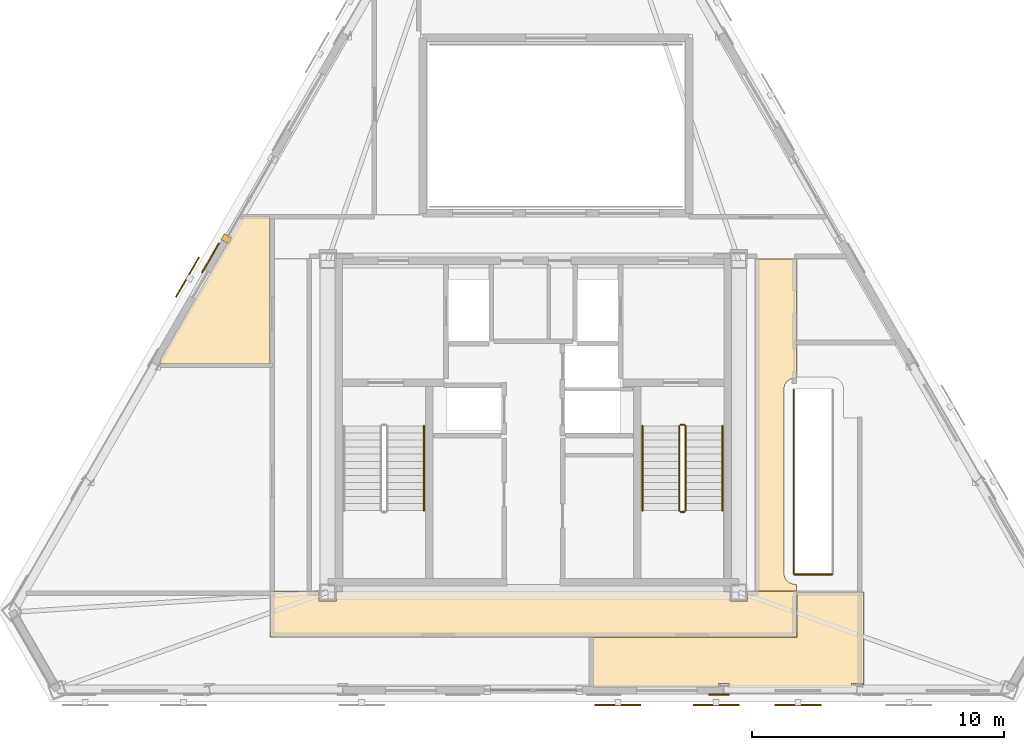
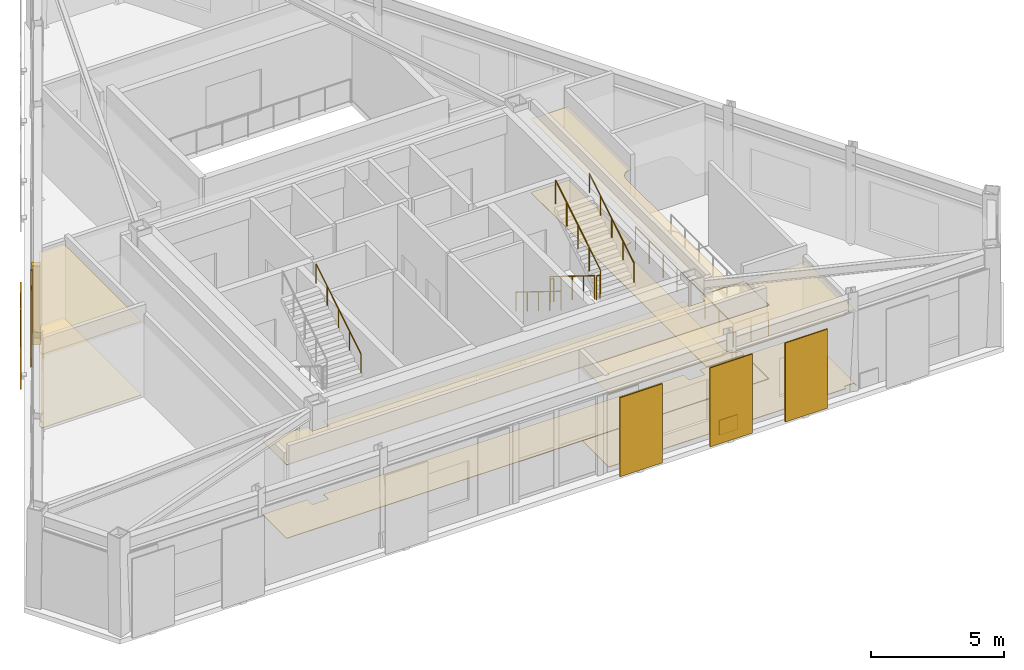
# One storey, part 13 of 14: 11 coverings, 9 railings, 4 shading devices.
"""IFC4 building model written with IfcOpenShell, lengths in metres."""

from ifc_helpers import new_model, si_unit, direction, frame, origin, origin_2d, place, context, subcontext, project, spatial, polyline, rectangle, circle, outline, extrude, material, layer, layer_set, type_object, element, save


model = new_model("IFC4")

# Units and contexts
model_context = context("Model", 3, precision=1e-05, world=origin(), true_north=direction((0.0, 1.0)))
body_context = subcontext(model_context, "Body", "Model", "MODEL_VIEW")
ifc_project = project(units=[si_unit("LENGTHUNIT", "METRE"), si_unit("AREAUNIT", "SQUARE_METRE"), si_unit("VOLUMEUNIT", "CUBIC_METRE"), si_unit("PLANEANGLEUNIT", "RADIAN"), si_unit("MASSUNIT", "GRAM", prefix="KILO")], contexts=[model_context])

# Site, building, storey
site_placement = place(None, origin())
site = spatial("IfcSite", under=ifc_project, at=site_placement, CompositionType="ELEMENT")
building_placement = place(site_placement, origin())
building = spatial("IfcBuilding", under=site, at=building_placement, Name="Oramaril Tower", CompositionType="ELEMENT")
storey_placement = place(building_placement, frame((0.0, 0.0, 309.60009765625)))
storey = spatial("IfcBuildingStorey", under=building, at=storey_placement, Name="L81", CompositionType="ELEMENT", Elevation=309.60009765625)

# Coverings
ifc_material_1 = material(Name="Mineral Fibre Acoustic Ceiling")
ifc_layer_1 = layer(ifc_material_1, 0.02001953125)
ifc_layer_set_1 = layer_set([ifc_layer_1], Name="CVT-CEIL")
covering_type_1 = type_object("IfcCoveringType", Name="CVT-CEIL", PredefinedType="CEILING", material=ifc_layer_set_1)
covering_1_placement = place(storey_placement, frame((0.0, 0.0, 3.371826171875)))
element("IfcCovering", 1, at=covering_1_placement, inside=storey, type_object=covering_type_1, Name="L81 Acoustic Suspended Ceiling 1", PredefinedType="CEILING", context=body_context, shape_type="SweptSolid", body=[
    extrude(outline(polyline([(45.304931640625, 10.655029296875), (45.9951171875, 10.655029296875), (45.9951171875, 11.030029296875), (47.929931640625, 11.030029296875), (47.929931640625, 9.219970703125), (27.070068359375, 9.219970703125), (27.070068359375, 11.030029296875), (29.0048828125, 11.030029296875), (29.0048828125, 10.655029296875), (29.695068359375, 10.655029296875), (29.695068359375, 11.030029296875), (45.304931640625, 11.030029296875), (45.304931640625, 10.655029296875)])), origin(), (0.0, 0.0, 1.0), 0.02001953125),
])
covering_2_placement = place(storey_placement, frame((0.0, 0.0, 3.371826171875)))
element("IfcCovering", 2, at=covering_2_placement, inside=storey, type_object=covering_type_1, Name="L81 Acoustic Suspended Ceiling 5", PredefinedType="CEILING", context=body_context, shape_type="SweptSolid", body=[
    extrude(outline(polyline([(47.929931640625, 19.50390625), (47.7080078125, 19.455078125), (47.56494140625, 19.359619140625), (47.469970703125, 19.21728515625), (47.43505859375, 19.04150390625), (47.4375, 11.7109375), (47.489013671875, 11.54150390625), (47.563232421875, 11.441162109375), (47.7080078125, 11.344482421875), (47.929931640625, 11.29541015625), (47.929931640625, 11.050048828125), (46.300048828125, 11.050048828125), (46.300048828125, 24.219970703125), (47.929931640625, 24.219970703125), (47.929931640625, 19.50390625)])), origin(), (0.0, 0.0, 1.0), 0.02001953125),
])
covering_3_placement = place(storey_placement, frame((0.0, 0.0, 3.371826171875)))
element("IfcCovering", 3, at=covering_3_placement, inside=storey, type_object=covering_type_1, Name="L81 Acoustic Suspended Ceiling 7", PredefinedType="CEILING", context=body_context, shape_type="SweptSolid", body=[
    extrude(outline(polyline([(50.592041015625, 7.21728515625), (50.553466796875, 7.21728515625), (50.553466796875, 7.370849609375), (50.126220703125, 7.370849609375), (50.126220703125, 7.21728515625), (45.263427734375, 7.21728515625), (45.263427734375, 7.370849609375), (44.842041015625, 7.370849609375), (44.842041015625, 7.21728515625), (39.862060546875, 7.21728515625), (39.862060546875, 9.199951171875), (47.929931640625, 9.199951171875), (47.931884765625, 9.2001953125), (47.933837890625, 9.200439453125), (47.935791015625, 9.200927734375), (47.937744140625, 9.201416015625), (47.939453125, 9.202392578125), (47.941162109375, 9.203369140625), (47.942626953125, 9.20458984375), (47.944091796875, 9.205810546875), (47.945556640625, 9.207275390625), (47.946533203125, 9.208984375), (47.947509765625, 9.210693359375), (47.948486328125, 9.21240234375), (47.94921875, 9.214111328125), (47.94970703125, 9.216064453125), (47.949951171875, 9.218017578125), (47.949951171875, 9.219970703125), (47.949951171875, 10.991943359375), (50.592041015625, 10.991943359375), (50.592041015625, 7.21728515625)])), origin(), (0.0, 0.0, 1.0), 0.02001953125),
])
covering_4_placement = place(storey_placement, frame((0.0, 0.0, 3.371826171875)))
element("IfcCovering", 4, at=covering_4_placement, inside=storey, type_object=covering_type_1, Name="L81 Acoustic Suspended Ceiling 9", PredefinedType="CEILING", context=body_context, shape_type="SweptSolid", body=[
    extrude(outline(polyline([(22.725341796875, 20.2646484375), (22.719482421875, 20.2646484375), (25.985595703125, 25.922119140625), (27.050048828125, 25.922119140625), (27.050048828125, 24.239990234375), (27.050048828125, 24.238037109375), (27.05029296875, 24.236083984375), (27.05078125, 24.234130859375), (27.051513671875, 24.232421875), (27.052490234375, 24.230712890625), (27.052734375, 24.22998046875), (27.052490234375, 24.2294921875), (27.051513671875, 24.227783203125), (27.05078125, 24.225830078125), (27.05029296875, 24.223876953125), (27.050048828125, 24.221923828125), (27.050048828125, 24.219970703125), (27.050048828125, 20.06201171875), (22.725341796875, 20.06201171875), (22.725341796875, 20.2646484375)])), origin(), (0.0, 0.0, 1.0), 0.02001953125),
])
ifc_material_2 = material(Name="Warm Cream Limestone", Category="masonry")
ifc_layer_2 = layer(ifc_material_2, 0.050048828125)
ifc_layer_set_2 = layer_set([ifc_layer_2], Name="CVT-CLD")
covering_type_2 = type_object("IfcCoveringType", Name="CVT-CLD", PredefinedType="CLADDING", material=ifc_layer_set_2)
covering_5_placement = place(storey_placement, frame((44.864990234375, 6.941162109375, 0.0400390625), z_axis=(0.0, 0.0, 1.0), x_axis=(1.0, 0.0, 0.0)))
element("IfcCovering", 5, at=covering_5_placement, inside=storey, type_object=covering_type_2, Name="L81 Warm Cream Limestone Spandrel Cladding", PredefinedType="CLADDING", context=body_context, shape_type="SweptSolid", body=[
    extrude(rectangle(XDim=0.800048828125, YDim=0.050048828125, at=origin_2d()), origin(), (0.0, 0.0, 1.0), 0.679931640625),
])
covering_6_placement = place(storey_placement, frame((25.334716796875, 25.010498046875, 0.0), z_axis=(0.0, 0.0, 1.0), x_axis=(-0.5, -0.866025403784, 0.0)))
element("IfcCovering", 6, at=covering_6_placement, inside=storey, type_object=covering_type_2, Name="L81 Curtain Wall Limestone Jamb Closure", PredefinedType="CLADDING", context=body_context, shape_type="SweptSolid", body=[
    extrude(rectangle(XDim=0.260009765625, YDim=0.340087890625, at=origin_2d()), origin(), (0.0, 0.0, 1.0), 3.617919921875),
])
covering_7_placement = place(storey_placement, frame((24.7041015625, 24.254638671875, 0.039794921875), z_axis=(0.0, 0.0, 1.0), x_axis=(-0.5, -0.866025403784, 0.0)))
element("IfcCovering", 7, at=covering_7_placement, inside=storey, type_object=covering_type_2, Name="L81 Warm Cream Limestone Cladding", PredefinedType="CLADDING", context=body_context, shape_type="SweptSolid", body=[
    extrude(rectangle(XDim=1.35009765625, YDim=0.050048828125, at=origin_2d()), origin(), (0.0, 0.0, 1.0), 3.5380859375),
])
ifc_material_3 = material(Name="Honed Quartzite Stone Flooring", Category="masonry")
ifc_layer_3 = layer(ifc_material_3, 0.02490234375)
ifc_layer_set_3 = layer_set([ifc_layer_3], Name="CVT-FLR")
covering_type_3 = type_object("IfcCoveringType", Name="CVT-FLR", PredefinedType="FLOORING", material=ifc_layer_set_3)
covering_8_placement = place(storey_placement, origin())
element("IfcCovering", 8, at=covering_8_placement, inside=storey, type_object=covering_type_3, Name="L81 Honed Stone Floor Finish 1", PredefinedType="FLOORING", context=body_context, shape_type="SweptSolid", body=[
    extrude(outline(polyline([(45.304931640625, 10.655029296875), (45.9951171875, 10.655029296875), (45.9951171875, 11.030029296875), (47.929931640625, 11.030029296875), (47.929931640625, 9.219970703125), (27.070068359375, 9.219970703125), (27.070068359375, 11.030029296875), (29.0048828125, 11.030029296875), (29.0048828125, 10.655029296875), (29.695068359375, 10.655029296875), (29.695068359375, 11.030029296875), (45.304931640625, 11.030029296875), (45.304931640625, 10.655029296875)])), origin(), (0.0, 0.0, 1.0), 0.02490234375),
])
covering_9_placement = place(storey_placement, origin())
element("IfcCovering", 9, at=covering_9_placement, inside=storey, type_object=covering_type_3, Name="L81 Honed Stone Floor Finish 5", PredefinedType="FLOORING", context=body_context, shape_type="SweptSolid", body=[
    extrude(outline(polyline([(47.929931640625, 19.50390625), (47.7080078125, 19.455078125), (47.56494140625, 19.359619140625), (47.469970703125, 19.21728515625), (47.43505859375, 19.04150390625), (47.4375, 11.7109375), (47.489013671875, 11.54150390625), (47.563232421875, 11.441162109375), (47.7080078125, 11.344482421875), (47.929931640625, 11.29541015625), (47.929931640625, 11.050048828125), (46.300048828125, 11.050048828125), (46.300048828125, 24.219970703125), (47.929931640625, 24.219970703125), (47.929931640625, 19.50390625)])), origin(), (0.0, 0.0, 1.0), 0.02490234375),
])
covering_10_placement = place(storey_placement, origin())
element("IfcCovering", 10, at=covering_10_placement, inside=storey, type_object=covering_type_3, Name="L81 Honed Stone Floor Finish 7", PredefinedType="FLOORING", context=body_context, shape_type="SweptSolid", body=[
    extrude(outline(polyline([(50.592041015625, 7.21728515625), (50.553466796875, 7.21728515625), (50.553466796875, 7.370849609375), (50.126220703125, 7.370849609375), (50.126220703125, 7.21728515625), (45.263427734375, 7.21728515625), (45.263427734375, 7.370849609375), (44.842041015625, 7.370849609375), (44.842041015625, 7.21728515625), (39.862060546875, 7.21728515625), (39.862060546875, 9.199951171875), (47.929931640625, 9.199951171875), (47.931884765625, 9.2001953125), (47.933837890625, 9.200439453125), (47.935791015625, 9.200927734375), (47.937744140625, 9.201416015625), (47.939453125, 9.202392578125), (47.941162109375, 9.203369140625), (47.942626953125, 9.20458984375), (47.944091796875, 9.205810546875), (47.945556640625, 9.207275390625), (47.946533203125, 9.208984375), (47.947509765625, 9.210693359375), (47.948486328125, 9.21240234375), (47.94921875, 9.214111328125), (47.94970703125, 9.216064453125), (47.949951171875, 9.218017578125), (47.949951171875, 9.219970703125), (47.949951171875, 10.991943359375), (50.592041015625, 10.991943359375), (50.592041015625, 7.21728515625)])), origin(), (0.0, 0.0, 1.0), 0.02490234375),
])
covering_11_placement = place(storey_placement, origin())
element("IfcCovering", 11, at=covering_11_placement, inside=storey, type_object=covering_type_3, Name="L81 Honed Stone Floor Finish 9", PredefinedType="FLOORING", context=body_context, shape_type="SweptSolid", body=[
    extrude(outline(polyline([(22.725341796875, 20.2646484375), (22.719482421875, 20.2646484375), (25.985595703125, 25.922119140625), (27.050048828125, 25.922119140625), (27.050048828125, 24.239990234375), (27.050048828125, 24.238037109375), (27.05029296875, 24.236083984375), (27.05078125, 24.234130859375), (27.051513671875, 24.232421875), (27.052490234375, 24.230712890625), (27.052734375, 24.22998046875), (27.052490234375, 24.2294921875), (27.051513671875, 24.227783203125), (27.05078125, 24.225830078125), (27.05029296875, 24.223876953125), (27.050048828125, 24.221923828125), (27.050048828125, 24.219970703125), (27.050048828125, 20.06201171875), (22.725341796875, 20.06201171875), (22.725341796875, 20.2646484375)])), origin(), (0.0, 0.0, 1.0), 0.02490234375),
])

# Railings
ifc_material_4 = material(Name="Stainless Steel 316L", Category="steel")
railing_type_1 = type_object("IfcRailingType", Name="RLT-GRD", PredefinedType="GUARDRAIL", material=ifc_material_4)
railing_1_placement = place(storey_placement, frame((43.2900390625, 17.590087890625, 0.173095703125)))
element("IfcRailing", 12, at=railing_1_placement, inside=storey, type_object=railing_type_1, Name="L81 ST-2 stair guard 1", PredefinedType="GUARDRAIL", context=body_context, shape_type="SweptSolid", body=[
    extrude(circle(Radius=0.02392578125, at=origin_2d()), frame((0.0, 0.0, 1.076171875), z_axis=(0.0, -0.850623216509, 0.525775754039), x_axis=(1.0, 0.0, 0.0)), (0.0, 0.0, 1.0), 3.9501953125),
    extrude(circle(Radius=0.02099609375, at=origin_2d()), origin(), (0.0, 0.0, 1.0), 1.052001953125),
    extrude(circle(Radius=0.02099609375, at=origin_2d()), frame((0.0, -0.840087890625, 0.519287109375)), (0.0, 0.0, 1.0), 1.052001953125),
    extrude(circle(Radius=0.02099609375, at=origin_2d()), frame((0.0, -1.68017578125, 1.03857421875)), (0.0, 0.0, 1.0), 1.052001953125),
    extrude(circle(Radius=0.02099609375, at=origin_2d()), frame((0.0, -2.52001953125, 1.5576171875)), (0.0, 0.0, 1.0), 1.052001953125),
    extrude(circle(Radius=0.02099609375, at=origin_2d()), frame((0.0, -3.360107421875, 2.076904296875)), (0.0, 0.0, 1.0), 1.052001953125),
])
railing_2_placement = place(storey_placement, frame((43.340087890625, 14.179931640625, 2.25)))
element("IfcRailing", 13, at=railing_2_placement, inside=storey, type_object=railing_type_1, Name="L81 ST-2 stair guard 2", PredefinedType="GUARDRAIL", context=body_context, shape_type="SweptSolid", body=[
    extrude(circle(Radius=0.02392578125, at=origin_2d()), frame((0.0, 0.0, 1.076171875), z_axis=(1.0, 0.0, 0.0), x_axis=(0.0, 1.0, 0.0)), (0.0, 0.0, 1.0), 0.14990234375),
    extrude(circle(Radius=0.02099609375, at=origin_2d()), origin(), (0.0, 0.0, 1.0), 1.052001953125),
    extrude(circle(Radius=0.02099609375, at=origin_2d()), frame((0.14990234375, 0.0, 0.0)), (0.0, 0.0, 1.0), 1.052001953125),
])
railing_3_placement = place(storey_placement, frame((43.5400390625, 14.22998046875, 2.423095703125)))
element("IfcRailing", 14, at=railing_3_placement, inside=storey, type_object=railing_type_1, Name="L81 ST-2 stair guard 3", PredefinedType="GUARDRAIL", context=body_context, shape_type="SweptSolid", body=[
    extrude(circle(Radius=0.02392578125, at=origin_2d()), frame((0.0, 0.0, 1.076171875), z_axis=(0.0, 0.850623216509, 0.525775754039), x_axis=(-1.0, 0.0, 0.0)), (0.0, 0.0, 1.0), 3.9501953125),
    extrude(circle(Radius=0.02099609375, at=origin_2d()), origin(), (0.0, 0.0, 1.0), 1.052001953125),
    extrude(circle(Radius=0.02099609375, at=origin_2d()), frame((0.0, 0.840087890625, 0.519287109375)), (0.0, 0.0, 1.0), 1.052001953125),
    extrude(circle(Radius=0.02099609375, at=origin_2d()), frame((0.0, 1.68017578125, 1.03857421875)), (0.0, 0.0, 1.0), 1.052001953125),
    extrude(circle(Radius=0.02099609375, at=origin_2d()), frame((0.0, 2.52001953125, 1.5576171875)), (0.0, 0.0, 1.0), 1.052001953125),
    extrude(circle(Radius=0.02099609375, at=origin_2d()), frame((0.0, 3.360107421875, 2.076904296875)), (0.0, 0.0, 1.0), 1.052001953125),
])
railing_4_placement = place(storey_placement, frame((43.340087890625, 17.639892578125, 0.0)))
element("IfcRailing", 15, at=railing_4_placement, inside=storey, type_object=railing_type_1, Name="L81 ST-2 stair guard 4", PredefinedType="GUARDRAIL", context=body_context, shape_type="SweptSolid", body=[
    extrude(circle(Radius=0.02392578125, at=origin_2d()), frame((0.0, 0.0, 1.076171875), z_axis=(1.0, 0.0, 0.0), x_axis=(0.0, 1.0, 0.0)), (0.0, 0.0, 1.0), 0.14990234375),
    extrude(circle(Radius=0.02099609375, at=origin_2d()), origin(), (0.0, 0.0, 1.0), 1.052001953125),
    extrude(circle(Radius=0.02099609375, at=origin_2d()), frame((0.14990234375, 0.0, 0.0)), (0.0, 0.0, 1.0), 1.052001953125),
])
railing_5_placement = place(storey_placement, frame((47.824951171875, 19.029541015625, 0.0)))
element("IfcRailing", 16, at=railing_5_placement, inside=storey, type_object=railing_type_1, Name="L81 ST-8 Well Guard 1", PredefinedType="GUARDRAIL", context=body_context, shape_type="SweptSolid", body=[
    extrude(circle(Radius=0.02392578125, at=origin_2d()), frame((0.0, 0.0, 1.076171875), z_axis=(0.0, -1.0, 0.0), x_axis=(1.0, 0.0, 0.0)), (0.0, 0.0, 1.0), 7.3095703125),
    extrude(circle(Radius=0.02099609375, at=origin_2d()), origin(), (0.0, 0.0, 1.0), 1.052001953125),
    extrude(circle(Radius=0.02099609375, at=origin_2d()), frame((0.0, -1.044189453125, 0.0)), (0.0, 0.0, 1.0), 1.052001953125),
    extrude(circle(Radius=0.02099609375, at=origin_2d()), frame((0.0, -2.08837890625, 0.0)), (0.0, 0.0, 1.0), 1.052001953125),
    extrude(circle(Radius=0.02099609375, at=origin_2d()), frame((0.0, -3.132568359375, 0.0)), (0.0, 0.0, 1.0), 1.052001953125),
    extrude(circle(Radius=0.02099609375, at=origin_2d()), frame((0.0, -4.177001953125, 0.0)), (0.0, 0.0, 1.0), 1.052001953125),
    extrude(circle(Radius=0.02099609375, at=origin_2d()), frame((0.0, -5.22119140625, 0.0)), (0.0, 0.0, 1.0), 1.052001953125),
    extrude(circle(Radius=0.02099609375, at=origin_2d()), frame((0.0, -6.265380859375, 0.0)), (0.0, 0.0, 1.0), 1.052001953125),
    extrude(circle(Radius=0.02099609375, at=origin_2d()), frame((0.0, -7.3095703125, 0.0)), (0.0, 0.0, 1.0), 1.052001953125),
])
railing_6_placement = place(storey_placement, frame((47.844970703125, 11.699951171875, 0.0)))
element("IfcRailing", 17, at=railing_6_placement, inside=storey, type_object=railing_type_1, Name="L81 ST-8 Well Guard 2", PredefinedType="GUARDRAIL", context=body_context, shape_type="SweptSolid", body=[
    extrude(circle(Radius=0.02392578125, at=origin_2d()), frame((0.0, 0.0, 1.076171875), z_axis=(1.0, 0.0, 0.0), x_axis=(0.0, 1.0, 0.0)), (0.0, 0.0, 1.0), 1.510009765625),
    extrude(circle(Radius=0.02099609375, at=origin_2d()), origin(), (0.0, 0.0, 1.0), 1.052001953125),
    extrude(circle(Radius=0.02099609375, at=origin_2d()), frame((0.7548828125, 0.0, 0.0)), (0.0, 0.0, 1.0), 1.052001953125),
    extrude(circle(Radius=0.02099609375, at=origin_2d()), frame((1.510009765625, 0.0, 0.0)), (0.0, 0.0, 1.0), 1.052001953125),
])
ifc_material_5 = material(Name="Stainless Steel 316L", Category="steel")
railing_type_2 = type_object("IfcRailingType", Name="RLT-HND", PredefinedType="HANDRAIL", material=ifc_material_5)
railing_7_placement = place(storey_placement, frame((33.169921875, 14.22998046875, 2.423095703125)))
element("IfcRailing", 18, at=railing_7_placement, inside=storey, type_object=railing_type_2, Name="L81 ST-1 stair handrail 2", PredefinedType="HANDRAIL", context=body_context, shape_type="SweptSolid", body=[
    extrude(circle(Radius=0.02392578125, at=origin_2d()), frame((0.0, 0.0, 0.8759765625), z_axis=(0.0, 0.850623216509, 0.525775754039), x_axis=(-1.0, 0.0, 0.0)), (0.0, 0.0, 1.0), 3.9501953125),
    extrude(circle(Radius=0.02099609375, at=origin_2d()), origin(), (0.0, 0.0, 1.0), 0.851806640625),
    extrude(circle(Radius=0.02099609375, at=origin_2d()), frame((0.0, 0.840087890625, 0.519287109375)), (0.0, 0.0, 1.0), 0.851806640625),
    extrude(circle(Radius=0.02099609375, at=origin_2d()), frame((0.0, 1.68017578125, 1.03857421875)), (0.0, 0.0, 1.0), 0.851806640625),
    extrude(circle(Radius=0.02099609375, at=origin_2d()), frame((0.0, 2.52001953125, 1.5576171875)), (0.0, 0.0, 1.0), 0.851806640625),
    extrude(circle(Radius=0.02099609375, at=origin_2d()), frame((0.0, 3.360107421875, 2.076904296875)), (0.0, 0.0, 1.0), 0.851806640625),
])
railing_8_placement = place(storey_placement, frame((41.830078125, 17.590087890625, 0.173095703125)))
element("IfcRailing", 19, at=railing_8_placement, inside=storey, type_object=railing_type_2, Name="L81 ST-2 stair handrail 1", PredefinedType="HANDRAIL", context=body_context, shape_type="SweptSolid", body=[
    extrude(circle(Radius=0.02392578125, at=origin_2d()), frame((0.0, 0.0, 0.8759765625), z_axis=(0.0, -0.850623216509, 0.525775754039), x_axis=(1.0, 0.0, 0.0)), (0.0, 0.0, 1.0), 3.9501953125),
    extrude(circle(Radius=0.02099609375, at=origin_2d()), origin(), (0.0, 0.0, 1.0), 0.851806640625),
    extrude(circle(Radius=0.02099609375, at=origin_2d()), frame((0.0, -0.840087890625, 0.519287109375)), (0.0, 0.0, 1.0), 0.851806640625),
    extrude(circle(Radius=0.02099609375, at=origin_2d()), frame((0.0, -1.68017578125, 1.03857421875)), (0.0, 0.0, 1.0), 0.851806640625),
    extrude(circle(Radius=0.02099609375, at=origin_2d()), frame((0.0, -2.52001953125, 1.5576171875)), (0.0, 0.0, 1.0), 0.851806640625),
    extrude(circle(Radius=0.02099609375, at=origin_2d()), frame((0.0, -3.360107421875, 2.076904296875)), (0.0, 0.0, 1.0), 0.851806640625),
])
railing_9_placement = place(storey_placement, frame((45.0, 14.22998046875, 2.423095703125)))
element("IfcRailing", 20, at=railing_9_placement, inside=storey, type_object=railing_type_2, Name="L81 ST-2 stair handrail 2", PredefinedType="HANDRAIL", context=body_context, shape_type="SweptSolid", body=[
    extrude(circle(Radius=0.02392578125, at=origin_2d()), frame((0.0, 0.0, 0.8759765625), z_axis=(0.0, 0.850623216509, 0.525775754039), x_axis=(-1.0, 0.0, 0.0)), (0.0, 0.0, 1.0), 3.9501953125),
    extrude(circle(Radius=0.02099609375, at=origin_2d()), origin(), (0.0, 0.0, 1.0), 0.851806640625),
    extrude(circle(Radius=0.02099609375, at=origin_2d()), frame((0.0, 0.840087890625, 0.519287109375)), (0.0, 0.0, 1.0), 0.851806640625),
    extrude(circle(Radius=0.02099609375, at=origin_2d()), frame((0.0, 1.68017578125, 1.03857421875)), (0.0, 0.0, 1.0), 0.851806640625),
    extrude(circle(Radius=0.02099609375, at=origin_2d()), frame((0.0, 2.52001953125, 1.5576171875)), (0.0, 0.0, 1.0), 0.851806640625),
    extrude(circle(Radius=0.02099609375, at=origin_2d()), frame((0.0, 3.360107421875, 2.076904296875)), (0.0, 0.0, 1.0), 0.851806640625),
])

# Shading devices
for number, where, z_axis, x_axis, name in (
    (21, (40.8505859375, 6.529296875, -0.02001953125), (0.0, 0.0, 1.0), (1.0, 0.0, 0.0), "L81 Perforated Ceramic Solar Screen"),
    (22, (44.75048828125, 6.529296875, -0.02001953125), (0.0, 0.0, 1.0), (1.0, 0.0, 0.0), "L81 Perforated Ceramic Solar Screen"),
    (23, (48.001220703125, 6.529296875, -0.02001953125), (0.0, 0.0, 1.0), (1.0, 0.0, 0.0), "L81 Perforated Ceramic Solar Screen"),
    (24, (23.791015625, 23.49658203125, -0.02001953125), (0.0, 0.0, 1.0), (-0.4999984885, -0.866026276448, 0.0), "L81 Perforated Ceramic Solar Screen"),
):
    element("IfcShadingDevice", number, at=place(storey_placement, frame(where, z_axis=z_axis, x_axis=x_axis)), inside=storey, Name=name, ObjectType="SCREEN", PredefinedType="USERDEFINED", context=body_context, shape_type="SweptSolid", body=[
        extrude(rectangle(XDim=1.8330078125, YDim=0.050048828125, at=origin_2d()), origin(), (0.0, 0.0, 1.0), 3.617919921875),
    ])

save(model, "model.ifc")
